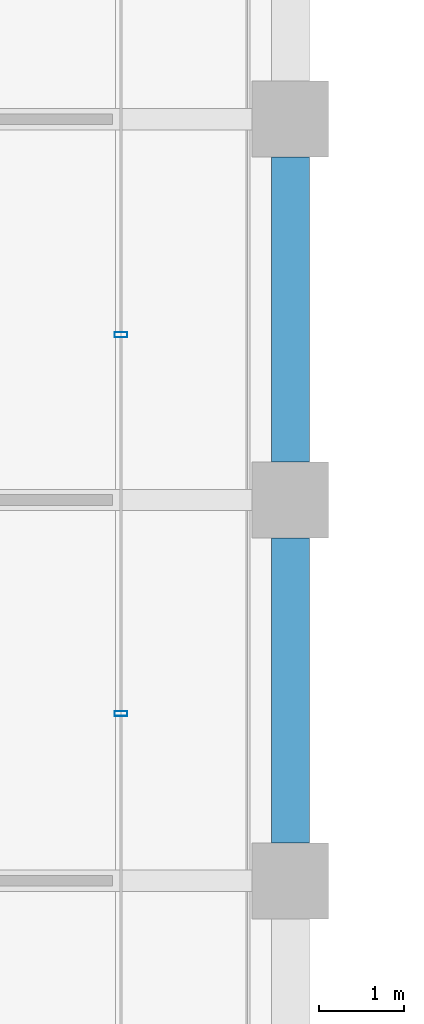
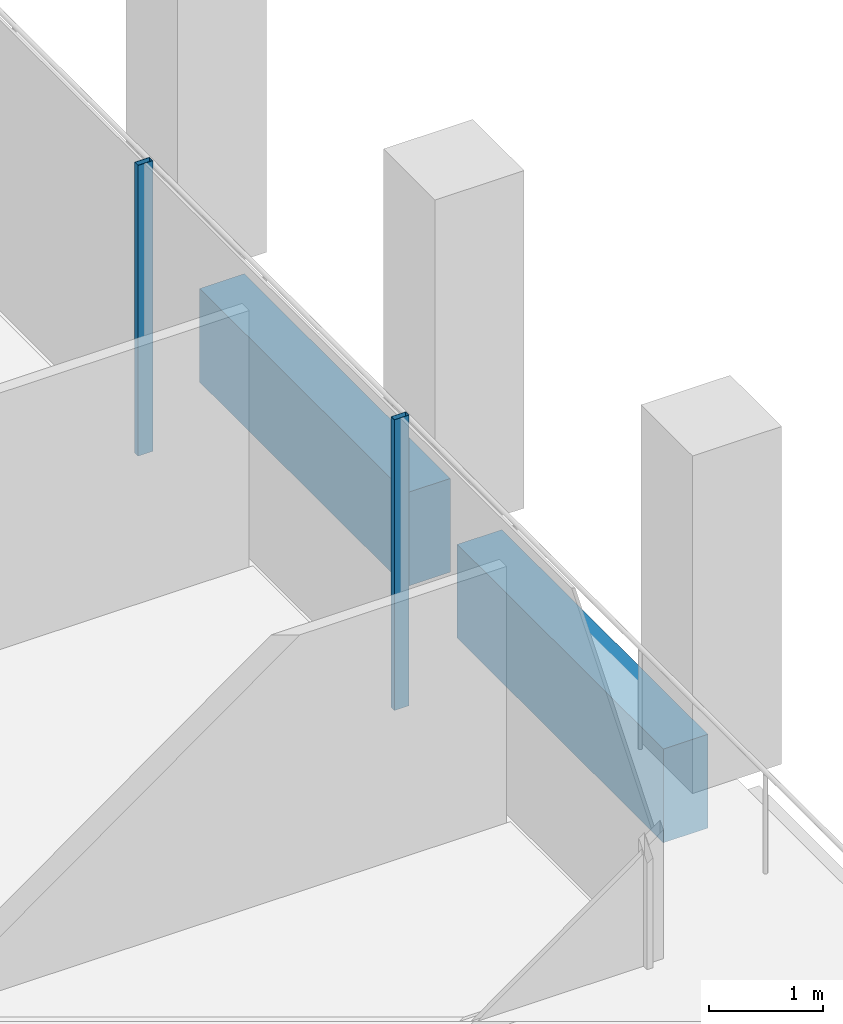
# One storey, part 15 of 40: 2 beams, 2 members, 1 element without a shape of its own.
"""IFC4 building model written with IfcOpenShell, lengths in metres."""

from ifc_helpers import new_model, si_unit, direction, frame, origin, origin_2d, place, context, subcontext, project, spatial, rectangle, hollow_rectangle, extrude, material, material_profile, profile_set, type_object, element, aggregate, save


model = new_model("IFC4")

# Units and contexts
model_context = context("Model", 3, precision=1e-05, world=origin(), true_north=direction((0.0, 1.0)))
body_context = subcontext(model_context, "Body", "Model", "MODEL_VIEW")
ifc_project = project(units=[si_unit("LENGTHUNIT", "METRE"), si_unit("AREAUNIT", "SQUARE_METRE"), si_unit("VOLUMEUNIT", "CUBIC_METRE"), si_unit("PLANEANGLEUNIT", "RADIAN"), si_unit("MASSUNIT", "GRAM", prefix="KILO")], contexts=[model_context])

# Site, building, storey
site_placement = place(None, origin())
site = spatial("IfcSite", under=ifc_project, at=site_placement, CompositionType="ELEMENT")
building_placement = place(site_placement, origin())
building = spatial("IfcBuilding", under=site, at=building_placement, Name="Altepetl Exchange Towers", CompositionType="ELEMENT")
storey_placement = place(building_placement, frame((0.0, 0.0, 179.800048828125)))
storey = spatial("IfcBuildingStorey", under=building, at=storey_placement, Name="L45", CompositionType="ELEMENT", Elevation=179.800048828125)

# Curtain wall, members
ifc_material_1 = material(Name="Aluminium 6063-T6 glazing", Category="aluminium")
curtain_wall_type = type_object("IfcCurtainWallType", Name="Loggia glazing system", PredefinedType="NOTDEFINED", material=ifc_material_1)
curtain_wall_placement = place(storey_placement, origin())
curtain_wall = element("IfcCurtainWall", 1, at=curtain_wall_placement, inside=storey, type_object=curtain_wall_type, Name="CW1 run", PredefinedType="NOTDEFINED")
ifc_material_2 = material(Name="Aluminium 6063-T6", Category="aluminium")
ifc_material_profile_1 = material_profile(ifc_material_2, hollow_rectangle(XDim=0.06005859375, YDim=0.14990234375, WallThickness=0.0029296875, at=origin_2d()), Name="Mullion 60x150 aluminium")
ifc_profile_set_1 = profile_set([ifc_material_profile_1], Name="Aluminium 6063-T6")
member_type = type_object("IfcMemberType", Name="Mullion 60x150 aluminium", PredefinedType="MULLION", material=ifc_profile_set_1)
member_1_placement = place(storey_placement, frame((70.0, 37.97607421875, 0.0), z_axis=(0.0, 0.0, 1.0), x_axis=(0.0, 1.0, 0.0)))
member_1 = element("IfcMember", 2, at=member_1_placement, type_object=member_type, Name="MU1 mullion", PredefinedType="MULLION", context=body_context, shape_type="SweptSolid", body=[
    extrude(hollow_rectangle(XDim=0.06005859375, YDim=0.14990234375, WallThickness=0.0029296875, at=origin_2d()), origin(), (0.0, 0.0, 1.0), 3.099853515625),
])
member_2_placement = place(storey_placement, frame((70.0, 42.451904296875, 0.0), z_axis=(0.0, 0.0, 1.0), x_axis=(0.0, 1.0, 0.0)))
member_2 = element("IfcMember", 3, at=member_2_placement, type_object=member_type, Name="MU1 mullion", PredefinedType="MULLION", context=body_context, shape_type="SweptSolid", body=[
    extrude(hollow_rectangle(XDim=0.06005859375, YDim=0.14990234375, WallThickness=0.0029296875, at=origin_2d()), origin(), (0.0, 0.0, 1.0), 3.099853515625),
])
aggregate(curtain_wall, [member_1, member_2])

# Beams
ifc_material_3 = material(Name="Concrete C50/60 precast with cantera amarilla facing", Category="concrete")
ifc_material_profile_2 = material_profile(ifc_material_3, rectangle(XDim=0.449951171875, YDim=1.0, at=origin_2d()), Name="450 x 1000")
ifc_profile_set_2 = profile_set([ifc_material_profile_2], Name="Concrete C50/60 precast with cantera amarilla facing")
beam_type = type_object("IfcBeamType", Name="Spandrel beam 450x1000 cantera amarilla", PredefinedType="SPANDREL", material=ifc_profile_set_2)
for number, where, z_axis, x_axis, name in (
    (4, (72.0, 36.449951171875, -0.650146484375), (0.0, 1.0, 0.0), (-1.0, 0.0, 0.0), "sp:A:L45:013"),
    (5, (72.0, 40.949951171875, -0.650146484375), (0.0, 1.0, 0.0), (-1.0, 0.0, 0.0), "sp:A:L45:014"),
):
    element("IfcBeam", number, at=place(storey_placement, frame(where, z_axis=z_axis, x_axis=x_axis)), inside=storey, type_object=beam_type, Name=name, PredefinedType="SPANDREL", context=body_context, shape_type="SweptSolid", body=[
        extrude(rectangle(XDim=0.449951171875, YDim=1.0, at=origin_2d()), origin(), (0.0, 0.0, 1.0), 3.60009765625),
    ])

save(model, "model.ifc")
